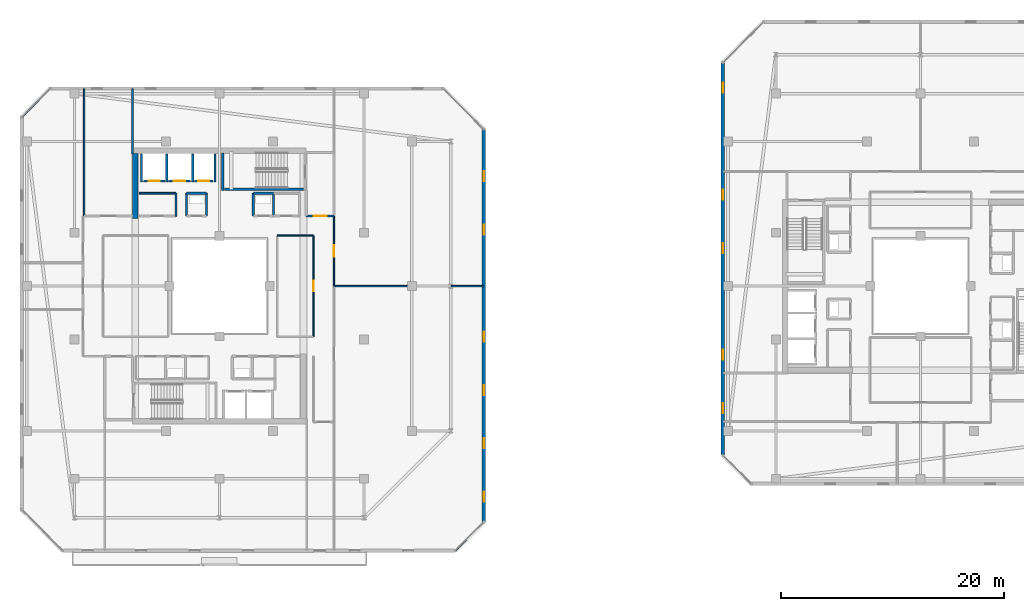
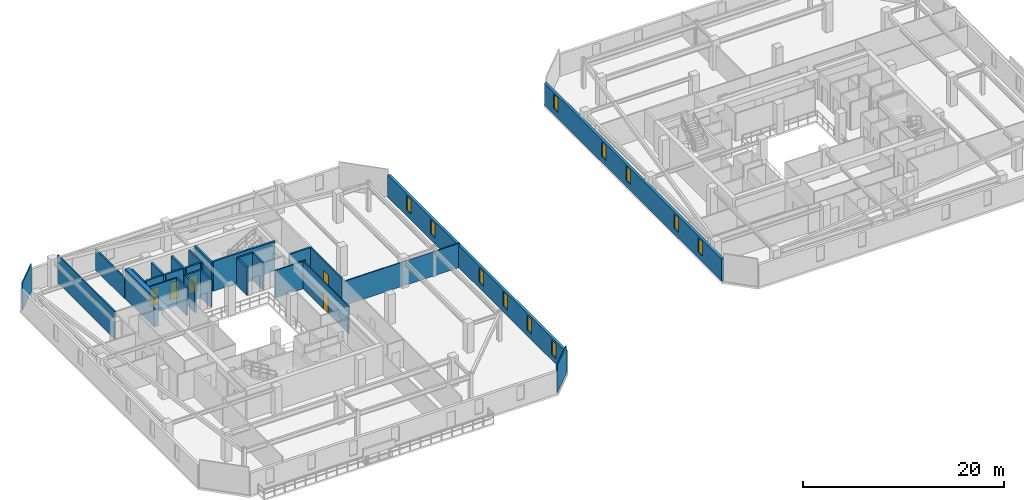
# One storey, part 23 of 34: 29 walls, 11 windows, 6 doors, 17 openings.
"""IFC4 building model written with IfcOpenShell, lengths in metres."""

from ifc_helpers import new_model, si_unit, direction, frame, frame_2d, origin, place, context, subcontext, project, spatial, rectangle, extrude, material, layer, layer_set, type_object, element, fill, save


model = new_model("IFC4")

# Units and contexts
model_context = context("Model", 3, precision=1e-05, world=origin(), true_north=direction((0.0, 1.0)))
body_context = subcontext(model_context, "Body", "Model", "MODEL_VIEW")
ifc_project = project(units=[si_unit("LENGTHUNIT", "METRE"), si_unit("AREAUNIT", "SQUARE_METRE"), si_unit("VOLUMEUNIT", "CUBIC_METRE"), si_unit("PLANEANGLEUNIT", "RADIAN"), si_unit("MASSUNIT", "GRAM", prefix="KILO")], contexts=[model_context])

# Site, building, storey
site_placement = place(None, origin())
site = spatial("IfcSite", under=ifc_project, at=site_placement, CompositionType="ELEMENT")
building_placement = place(site_placement, origin())
building = spatial("IfcBuilding", under=site, at=building_placement, Name="Thornwick Lancets Civic Towers", CompositionType="ELEMENT")
storey_placement = place(building_placement, frame((0.0, 0.0, 261.89990234375)))
storey = spatial("IfcBuildingStorey", under=building, at=storey_placement, Name="L70", CompositionType="ELEMENT", Elevation=261.89990234375)

# Wall, opening, door
ifc_material_1 = material(Name="Concrete blockwork C40/50", Category="masonry")
ifc_layer_1 = layer(ifc_material_1, 0.199951171875, Name="Concrete blockwork C40/50")
ifc_layer_set_1 = layer_set([ifc_layer_1], Name="Concrete blockwork C40/50")
wall_type_1 = type_object("IfcWallType", Name="WALL_COMP_200", PredefinedType="STANDARD", material=ifc_layer_set_1)
wall_1_placement = place(storey_placement, frame((24.919921875, 36.449951171875, 0.0), z_axis=(0.0, 0.0, 1.0), x_axis=(-1.0, 0.0, 0.0)))
wall_1 = element("IfcWall", 1, at=wall_1_placement, inside=storey, type_object=wall_type_1, Name="L70 Hoistway Front Wall FL-A2", PredefinedType="STANDARD", context=body_context, shape_type="SweptSolid", body=[
    extrude(rectangle(XDim=1.639892578125, YDim=0.199951171875, at=frame_2d((0.81982421875, 0.0))), origin(), (0.0, 0.0, 1.0), 3.340087890625),
])
opening_1_placement = place(wall_1_placement, frame((0.31005859375, 0.0, 0.0)))
opening_1 = element("IfcOpeningElement", 2, at=opening_1_placement, cuts=wall_1, Name="Opening LD-FL-A2", PredefinedType="OPENING", context=body_context, shape_type="SweptSolid", body=[
    extrude(rectangle(XDim=1.02001953125, YDim=2.06005859375, at=frame_2d((0.510009765625, 1.030029296875))), frame((0.0, 0.10986328125, 0.0), z_axis=(0.0, -1.0, 0.0), x_axis=(1.0, 0.0, 0.0)), (0.0, 0.0, 1.0), 0.219970703125),
])
ifc_material_2 = material(Name="Brushed bronze stainless steel", Category="steel")
door_type_1 = type_object("IfcDoorType", Name="DOOR_LIFT_SLIDE", OperationType="SLIDING_TO_LEFT", PredefinedType="DOOR", material=ifc_material_2)
door_1_placement = place(opening_1_placement, origin())
door_1 = element("IfcDoor", 3, at=door_1_placement, inside=storey, type_object=door_type_1, Name="L70 Sliding Lift Landing Door LD-FL-A2", OperationType="SLIDING_TO_LEFT", OverallHeight=2.06005859375, OverallWidth=1.02001953125, PredefinedType="DOOR", context=body_context, shape_type="SweptSolid", body=[
    extrude(rectangle(XDim=1.02001953125, YDim=2.06005859375, at=frame_2d((0.510009765625, 1.030029296875))), frame((0.0, 0.02490234375, 0.0), z_axis=(0.0, -1.0, 0.0), x_axis=(1.0, 0.0, 0.0)), (0.0, 0.0, 1.0), 0.050048828125),
])
fill(opening_1, door_1)

wall_2_placement = place(storey_placement, frame((22.919921875, 36.449951171875, 0.0), z_axis=(0.0, 0.0, 1.0), x_axis=(-1.0, 0.0, 0.0)))
wall_2 = element("IfcWall", 4, at=wall_2_placement, inside=storey, type_object=wall_type_1, Name="L70 Hoistway Front Wall PL-AH2", PredefinedType="STANDARD", context=body_context, shape_type="SweptSolid", body=[
    extrude(rectangle(XDim=1.989990234375, YDim=0.199951171875, at=frame_2d((0.9951171875, 0.0))), origin(), (0.0, 0.0, 1.0), 3.340087890625),
])
opening_2_placement = place(wall_2_placement, frame((0.485107421875, 0.0, 0.0)))
opening_2 = element("IfcOpeningElement", 5, at=opening_2_placement, cuts=wall_2, Name="Opening LD-PL-AH2", PredefinedType="OPENING", context=body_context, shape_type="SweptSolid", body=[
    extrude(rectangle(XDim=1.02001953125, YDim=2.06005859375, at=frame_2d((0.510009765625, 1.030029296875))), frame((0.0, 0.10986328125, 0.0), z_axis=(0.0, -1.0, 0.0), x_axis=(1.0, 0.0, 0.0)), (0.0, 0.0, 1.0), 0.219970703125),
])
door_2_placement = place(opening_2_placement, origin())
door_2 = element("IfcDoor", 6, at=door_2_placement, inside=storey, type_object=door_type_1, Name="L70 Sliding Lift Landing Door LD-PL-AH2", OperationType="SLIDING_TO_LEFT", OverallHeight=2.06005859375, OverallWidth=1.02001953125, PredefinedType="DOOR", context=body_context, shape_type="SweptSolid", body=[
    extrude(rectangle(XDim=1.02001953125, YDim=2.06005859375, at=frame_2d((0.510009765625, 1.030029296875))), frame((0.0, 0.02490234375, 0.0), z_axis=(0.0, -1.0, 0.0), x_axis=(1.0, 0.0, 0.0)), (0.0, 0.0, 1.0), 0.050048828125),
])
fill(opening_2, door_2)

wall_3_placement = place(storey_placement, frame((20.6201171875, 36.449951171875, 0.0), z_axis=(0.0, 0.0, 1.0), x_axis=(-1.0, 0.0, 0.0)))
wall_3 = element("IfcWall", 7, at=wall_3_placement, inside=storey, type_object=wall_type_1, Name="L70 Hoistway Front Wall PL-AH3", PredefinedType="STANDARD", context=body_context, shape_type="SweptSolid", body=[
    extrude(rectangle(XDim=1.940185546875, YDim=0.199951171875, at=frame_2d((0.97021484375, 0.0))), origin(), (0.0, 0.0, 1.0), 3.340087890625),
])
opening_3_placement = place(wall_3_placement, frame((0.4599609375, 0.0, 0.0)))
opening_3 = element("IfcOpeningElement", 8, at=opening_3_placement, cuts=wall_3, Name="Opening LD-PL-AH3", PredefinedType="OPENING", context=body_context, shape_type="SweptSolid", body=[
    extrude(rectangle(XDim=1.02001953125, YDim=2.06005859375, at=frame_2d((0.510009765625, 1.030029296875))), frame((0.0, 0.10986328125, 0.0), z_axis=(0.0, -1.0, 0.0), x_axis=(1.0, 0.0, 0.0)), (0.0, 0.0, 1.0), 0.219970703125),
])
door_3_placement = place(opening_3_placement, origin())
door_3 = element("IfcDoor", 9, at=door_3_placement, inside=storey, type_object=door_type_1, Name="L70 Sliding Lift Landing Door LD-PL-AH3", OperationType="SLIDING_TO_LEFT", OverallHeight=2.06005859375, OverallWidth=1.02001953125, PredefinedType="DOOR", context=body_context, shape_type="SweptSolid", body=[
    extrude(rectangle(XDim=1.02001953125, YDim=2.06005859375, at=frame_2d((0.510009765625, 1.030029296875))), frame((0.0, 0.02490234375, 0.0), z_axis=(0.0, -1.0, 0.0), x_axis=(1.0, 0.0, 0.0)), (0.0, 0.0, 1.0), 0.050048828125),
])
fill(opening_3, door_3)

# Walls
for number, where, z_axis, x_axis, name in (
    (10, (25.10009765625, 36.35205078125, 0.0), (0.0, 0.0, 1.0), (0.0, 1.0, 0.0), "L70 Hoistway Shaft Wall FL-A2 E"),
    (11, (23.10009765625, 36.35205078125, 0.0), (0.0, 0.0, 1.0), (0.0, 1.0, 0.0), "L70 Hoistway Shaft Wall FL-A2 W"),
    (12, (20.77490234375, 36.35205078125, 0.0), (0.0, 0.0, 1.0), (0.0, 1.0, 0.0), "L70 Hoistway Shaft Wall PL-AH2 W"),
    (13, (18.5, 36.35205078125, 0.0), (0.0, 0.0, 1.0), (0.0, 1.0, 0.0), "L70 Hoistway Shaft Wall PL-AH3 W"),
):
    element("IfcWall", number, at=place(storey_placement, frame(where, z_axis=z_axis, x_axis=x_axis)), inside=storey, type_object=wall_type_1, Name=name, PredefinedType="STANDARD", context=body_context, shape_type="SweptSolid", body=[
        extrude(rectangle(XDim=2.535888671875, YDim=0.199951171875, at=frame_2d((1.26806640625, 0.0))), origin(), (0.0, 0.0, 1.0), 3.340087890625),
    ])

# Wall, opening, door
wall_4_placement = place(storey_placement, frame((33.300048828125, 33.300048828125, 0.0), z_axis=(0.0, 0.0, 1.0), x_axis=(1.0, 0.0, 0.0)))
wall_4 = element("IfcWall", 14, at=wall_4_placement, inside=storey, type_object=wall_type_1, Name="L70 Partition L70-A-FFLOB2 E1", PredefinedType="STANDARD", context=body_context, shape_type="SweptSolid", body=[
    extrude(rectangle(XDim=2.5, YDim=0.199951171875, at=frame_2d((1.25, 0.0))), origin(), (0.0, 0.0, 1.0), 3.340087890625),
])
opening_4_placement = place(wall_4_placement, frame((0.675048828125, 0.0, 0.0)))
opening_4 = element("IfcOpeningElement", 15, at=opening_4_placement, cuts=wall_4, Name="Opening D-L70-3180", PredefinedType="OPENING", context=body_context, shape_type="SweptSolid", body=[
    extrude(rectangle(XDim=1.14990234375, YDim=2.10009765625, at=frame_2d((0.574951171875, 1.050048828125))), frame((0.0, 0.10986328125, 0.0), z_axis=(0.0, -1.0, 0.0), x_axis=(1.0, 0.0, 0.0)), (0.0, 0.0, 1.0), 0.219970703125),
])
ifc_material_3 = material(Name="Glazed fire-resisting steel", Category="steel")
door_type_2 = type_object("IfcDoorType", Name="DOOR_LOBBY_FD60", OperationType="NOTDEFINED", PredefinedType="DOOR", material=ifc_material_3)
door_4_placement = place(opening_4_placement, origin())
door_4 = element("IfcDoor", 16, at=door_4_placement, inside=storey, type_object=door_type_2, Name="L70 North Firefighting Lobby 2 Door", OperationType="SINGLE_SWING_LEFT", OverallHeight=2.10009765625, OverallWidth=1.14990234375, PredefinedType="DOOR", context=body_context, shape_type="SweptSolid", body=[
    extrude(rectangle(XDim=1.14990234375, YDim=2.10009765625, at=frame_2d((0.574951171875, 1.050048828125))), frame((0.0, 0.02490234375, 0.0), z_axis=(0.0, -1.0, 0.0), x_axis=(1.0, 0.0, 0.0)), (0.0, 0.0, 1.0), 0.050048828125),
])
fill(opening_4, door_4)

# Walls
wall_5_placement = place(storey_placement, frame((24.35009765625, 33.300048828125, 0.0), z_axis=(0.0, 0.0, 1.0), x_axis=(0.0, 1.0, 0.0)))
element("IfcWall", 17, at=wall_5_placement, inside=storey, type_object=wall_type_1, Name="L70 Partition L70-A-DUCT2 E2", PredefinedType="STANDARD", context=body_context, shape_type="SweptSolid", body=[
    extrude(rectangle(XDim=2.050048828125, YDim=0.199951171875, at=frame_2d((1.02490234375, 0.0))), origin(), (0.0, 0.0, 1.0), 3.340087890625),
])
wall_6_placement = place(storey_placement, frame((24.35009765625, 35.35009765625, 0.0), z_axis=(0.0, 0.0, 1.0), x_axis=(-1.0, 0.0, 0.0)))
element("IfcWall", 18, at=wall_6_placement, inside=storey, type_object=wall_type_1, Name="L70 Partition L70-A-DUCT2 E3", PredefinedType="STANDARD", context=body_context, shape_type="SweptSolid", body=[
    extrude(rectangle(XDim=1.800048828125, YDim=0.199951171875, at=frame_2d((0.89990234375, 0.0))), origin(), (0.0, 0.0, 1.0), 3.340087890625),
])
for number, where, z_axis, x_axis, name in (
    (19, (22.550048828125, 35.35009765625, 0.0), (0.0, 0.0, 1.0), (0.0, -1.0, 0.0), "L70 Partition L70-A-DUCT2 E4"),
    (20, (30.35009765625, 33.300048828125, 0.0), (0.0, 0.0, 1.0), (0.0, 1.0, 0.0), "L70 Partition L70-A-RISER2 E2"),
):
    element("IfcWall", number, at=place(storey_placement, frame(where, z_axis=z_axis, x_axis=x_axis)), inside=storey, type_object=wall_type_1, Name=name, PredefinedType="STANDARD", context=body_context, shape_type="SweptSolid", body=[
        extrude(rectangle(XDim=2.050048828125, YDim=0.199951171875, at=frame_2d((1.02490234375, 0.0))), origin(), (0.0, 0.0, 1.0), 3.340087890625),
    ])
wall_7_placement = place(storey_placement, frame((30.35009765625, 35.35009765625, 0.0), z_axis=(0.0, 0.0, 1.0), x_axis=(-1.0, 0.0, 0.0)))
element("IfcWall", 21, at=wall_7_placement, inside=storey, type_object=wall_type_1, Name="L70 Partition L70-A-RISER2 E3", PredefinedType="STANDARD", context=body_context, shape_type="SweptSolid", body=[
    extrude(rectangle(XDim=1.800048828125, YDim=0.199951171875, at=frame_2d((0.89990234375, 0.0))), origin(), (0.0, 0.0, 1.0), 3.340087890625),
])
wall_8_placement = place(storey_placement, frame((28.550048828125, 35.35009765625, 0.0), z_axis=(0.0, 0.0, 1.0), x_axis=(0.0, -1.0, 0.0)))
element("IfcWall", 22, at=wall_8_placement, inside=storey, type_object=wall_type_1, Name="L70 Partition L70-A-RISER2 E4", PredefinedType="STANDARD", context=body_context, shape_type="SweptSolid", body=[
    extrude(rectangle(XDim=2.050048828125, YDim=0.199951171875, at=frame_2d((1.02490234375, 0.0))), origin(), (0.0, 0.0, 1.0), 3.340087890625),
])
ifc_material_4 = material(Name="Concrete C50/60", Category="concrete")
ifc_layer_2 = layer(ifc_material_4, 0.5, Name="Concrete C50/60")
ifc_layer_set_2 = layer_set([ifc_layer_2], Name="Concrete C50/60")
wall_type_2 = type_object("IfcWallType", Name="WALL_CORE_500", PredefinedType="SHEAR", material=ifc_layer_set_2)
wall_9_placement = place(storey_placement, frame((17.949951171875, 33.10009765625, 0.0), z_axis=(0.0, 0.0, 1.0), x_axis=(0.0, 1.0, 0.0)))
element("IfcWall", 23, at=wall_9_placement, inside=storey, type_object=wall_type_2, Name="L70 Split Core A2 Shear Wall W", PredefinedType="SHEAR", context=body_context, shape_type="SweptSolid", body=[
    extrude(rectangle(XDim=5.7998046875, YDim=0.5, at=frame_2d((2.89990234375, 0.0))), origin(), (0.0, 0.0, 1.0), 3.60009765625),
])

# Wall, openings, windows
ifc_material_5 = material(Name="Insulated russet terracotta rainscreen on concrete C40/50", Category="masonry")
ifc_layer_3 = layer(ifc_material_5, 0.300048828125, Name="Insulated russet terracotta rainscreen on concrete C40/50")
ifc_layer_set_3 = layer_set([ifc_layer_3], Name="Insulated russet terracotta rainscreen on concrete C40/50")
wall_type_3 = type_object("IfcWallType", Name="WALL_EXT_RUSSET_300", PredefinedType="STANDARD", material=ifc_layer_set_3)
wall_10_placement = place(storey_placement, frame((49.2646484375, 5.818603515625, 0.0), z_axis=(0.0, 0.0, 1.0), x_axis=(-0.000103863011, 0.999999994606, 0.0)))
wall_10 = element("IfcWall", 24, at=wall_10_placement, inside=storey, type_object=wall_type_3, Name="L70 Tower A Terracotta Facade Wall E2", PredefinedType="STANDARD", context=body_context, shape_type="SweptSolid", body=[
    extrude(rectangle(XDim=35.259033203125, YDim=0.300048828125, at=frame_2d((17.62939453125, 0.0))), origin(), (0.0, 0.0, 1.0), 2.7001953125),
])
opening_5_placement = place(wall_10_placement, frame((1.800048828125, 0.0, 0.719970703125)))
opening_5 = element("IfcOpeningElement", 25, at=opening_5_placement, cuts=wall_10, Name="Opening WL-01", PredefinedType="OPENING", context=body_context, shape_type="SweptSolid", body=[
    extrude(rectangle(XDim=0.89990234375, YDim=1.75, at=frame_2d((0.449951171875, 0.875))), frame((0.0, 0.16015625, 0.0), z_axis=(0.0, -1.0, 0.0), x_axis=(1.0, 0.0, 0.0)), (0.0, 0.0, 1.0), 0.320068359375),
])
opening_6_placement = place(wall_10_placement, frame((6.60009765625, 0.0, 0.719970703125)))
opening_6 = element("IfcOpeningElement", 26, at=opening_6_placement, cuts=wall_10, Name="Opening WL-01", PredefinedType="OPENING", context=body_context, shape_type="SweptSolid", body=[
    extrude(rectangle(XDim=0.89990234375, YDim=1.75, at=frame_2d((0.449951171875, 0.875))), frame((0.0, 0.16015625, 0.0), z_axis=(0.0, -1.0, 0.0), x_axis=(1.0, 0.0, 0.0)), (0.0, 0.0, 1.0), 0.320068359375),
])
opening_7_placement = place(wall_10_placement, frame((11.39990234375, 0.0, 0.719970703125)))
opening_7 = element("IfcOpeningElement", 27, at=opening_7_placement, cuts=wall_10, Name="Opening WL-01", PredefinedType="OPENING", context=body_context, shape_type="SweptSolid", body=[
    extrude(rectangle(XDim=0.89990234375, YDim=1.75, at=frame_2d((0.449951171875, 0.875))), frame((0.0, 0.16015625, 0.0), z_axis=(0.0, -1.0, 0.0), x_axis=(1.0, 0.0, 0.0)), (0.0, 0.0, 1.0), 0.320068359375),
])
opening_8_placement = place(wall_10_placement, frame((16.199951171875, 0.0, 0.719970703125)))
opening_8 = element("IfcOpeningElement", 28, at=opening_8_placement, cuts=wall_10, Name="Opening WL-01", PredefinedType="OPENING", context=body_context, shape_type="SweptSolid", body=[
    extrude(rectangle(XDim=0.89990234375, YDim=1.75, at=frame_2d((0.449951171875, 0.875))), frame((0.0, 0.16015625, 0.0), z_axis=(0.0, -1.0, 0.0), x_axis=(1.0, 0.0, 0.0)), (0.0, 0.0, 1.0), 0.320068359375),
])
opening_9_placement = place(wall_10_placement, frame((25.800048828125, 0.0, 0.719970703125)))
opening_9 = element("IfcOpeningElement", 29, at=opening_9_placement, cuts=wall_10, Name="Opening WL-01", PredefinedType="OPENING", context=body_context, shape_type="SweptSolid", body=[
    extrude(rectangle(XDim=0.89990234375, YDim=1.75, at=frame_2d((0.449951171875, 0.875))), frame((0.0, 0.16015625, 0.0), z_axis=(0.0, -1.0, 0.0), x_axis=(1.0, 0.0, 0.0)), (0.0, 0.0, 1.0), 0.320068359375),
])
opening_10_placement = place(wall_10_placement, frame((30.60009765625, 0.0, 0.719970703125)))
opening_10 = element("IfcOpeningElement", 30, at=opening_10_placement, cuts=wall_10, Name="Opening WL-01", PredefinedType="OPENING", context=body_context, shape_type="SweptSolid", body=[
    extrude(rectangle(XDim=0.89990234375, YDim=1.75, at=frame_2d((0.449951171875, 0.875))), frame((0.0, 0.16015625, 0.0), z_axis=(0.0, -1.0, 0.0), x_axis=(1.0, 0.0, 0.0)), (0.0, 0.0, 1.0), 0.320068359375),
])
ifc_material_6 = material(Name="Clear low-e double glazing in bronze frame", Category="glass")
window_type = type_object("IfcWindowType", Name="WIN_LANCET_900", PartitioningType="SINGLE_PANEL", PredefinedType="WINDOW", material=ifc_material_6)
window_1_placement = place(opening_5_placement, origin())
window_1 = element("IfcWindow", 31, at=window_1_placement, inside=storey, type_object=window_type, Name="L70 Tower A Staggered Lancet Window E2-1", OverallHeight=1.75, OverallWidth=0.89990234375, PartitioningType="SINGLE_PANEL", PredefinedType="WINDOW", context=body_context, shape_type="SweptSolid", body=[
    extrude(rectangle(XDim=0.89990234375, YDim=1.75, at=frame_2d((0.449951171875, 0.875))), frame((0.0, 0.030029296875, 0.0), z_axis=(0.0, -1.0, 0.0), x_axis=(1.0, 0.0, 0.0)), (0.0, 0.0, 1.0), 0.06005859375),
])
fill(opening_5, window_1)
window_2_placement = place(opening_6_placement, origin())
window_2 = element("IfcWindow", 32, at=window_2_placement, inside=storey, type_object=window_type, Name="L70 Tower A Staggered Lancet Window E2-2", OverallHeight=1.75, OverallWidth=0.89990234375, PartitioningType="SINGLE_PANEL", PredefinedType="WINDOW", context=body_context, shape_type="SweptSolid", body=[
    extrude(rectangle(XDim=0.89990234375, YDim=1.75, at=frame_2d((0.449951171875, 0.875))), frame((0.0, 0.030029296875, 0.0), z_axis=(0.0, -1.0, 0.0), x_axis=(1.0, 0.0, 0.0)), (0.0, 0.0, 1.0), 0.06005859375),
])
fill(opening_6, window_2)
window_3_placement = place(opening_7_placement, origin())
window_3 = element("IfcWindow", 33, at=window_3_placement, inside=storey, type_object=window_type, Name="L70 Tower A Staggered Lancet Window E2-3", OverallHeight=1.75, OverallWidth=0.89990234375, PartitioningType="SINGLE_PANEL", PredefinedType="WINDOW", context=body_context, shape_type="SweptSolid", body=[
    extrude(rectangle(XDim=0.89990234375, YDim=1.75, at=frame_2d((0.449951171875, 0.875))), frame((0.0, 0.030029296875, 0.0), z_axis=(0.0, -1.0, 0.0), x_axis=(1.0, 0.0, 0.0)), (0.0, 0.0, 1.0), 0.06005859375),
])
fill(opening_7, window_3)
window_4_placement = place(opening_8_placement, origin())
window_4 = element("IfcWindow", 34, at=window_4_placement, inside=storey, type_object=window_type, Name="L70 Tower A Staggered Lancet Window E2-4", OverallHeight=1.75, OverallWidth=0.89990234375, PartitioningType="SINGLE_PANEL", PredefinedType="WINDOW", context=body_context, shape_type="SweptSolid", body=[
    extrude(rectangle(XDim=0.89990234375, YDim=1.75, at=frame_2d((0.449951171875, 0.875))), frame((0.0, 0.030029296875, 0.0), z_axis=(0.0, -1.0, 0.0), x_axis=(1.0, 0.0, 0.0)), (0.0, 0.0, 1.0), 0.06005859375),
])
fill(opening_8, window_4)
window_5_placement = place(opening_9_placement, origin())
window_5 = element("IfcWindow", 35, at=window_5_placement, inside=storey, type_object=window_type, Name="L70 Tower A Staggered Lancet Window E2-5", OverallHeight=1.75, OverallWidth=0.89990234375, PartitioningType="SINGLE_PANEL", PredefinedType="WINDOW", context=body_context, shape_type="SweptSolid", body=[
    extrude(rectangle(XDim=0.89990234375, YDim=1.75, at=frame_2d((0.449951171875, 0.875))), frame((0.0, 0.030029296875, 0.0), z_axis=(0.0, -1.0, 0.0), x_axis=(1.0, 0.0, 0.0)), (0.0, 0.0, 1.0), 0.06005859375),
])
fill(opening_9, window_5)
window_6_placement = place(opening_10_placement, origin())
window_6 = element("IfcWindow", 36, at=window_6_placement, inside=storey, type_object=window_type, Name="L70 Tower A Staggered Lancet Window E2-6", OverallHeight=1.75, OverallWidth=0.89990234375, PartitioningType="SINGLE_PANEL", PredefinedType="WINDOW", context=body_context, shape_type="SweptSolid", body=[
    extrude(rectangle(XDim=0.89990234375, YDim=1.75, at=frame_2d((0.449951171875, 0.875))), frame((0.0, 0.030029296875, 0.0), z_axis=(0.0, -1.0, 0.0), x_axis=(1.0, 0.0, 0.0)), (0.0, 0.0, 1.0), 0.06005859375),
])
fill(opening_10, window_6)

wall_11_placement = place(storey_placement, frame((70.739013671875, 47.07763671875, 0.0), z_axis=(0.0, 0.0, 1.0), x_axis=(-0.000103863011, -0.999999994606, 0.0)))
wall_11 = element("IfcWall", 37, at=wall_11_placement, inside=storey, type_object=wall_type_3, Name="L70 Tower B Terracotta Facade Wall E6", PredefinedType="STANDARD", context=body_context, shape_type="SweptSolid", body=[
    extrude(rectangle(XDim=35.259033203125, YDim=0.300048828125, at=frame_2d((17.62939453125, 0.0))), origin(), (0.0, 0.0, 1.0), 2.7001953125),
])
opening_11_placement = place(wall_11_placement, frame((1.800048828125, 0.0, 0.719970703125)))
opening_11 = element("IfcOpeningElement", 38, at=opening_11_placement, cuts=wall_11, Name="Opening WL-01", PredefinedType="OPENING", context=body_context, shape_type="SweptSolid", body=[
    extrude(rectangle(XDim=0.89990234375, YDim=1.75, at=frame_2d((0.449951171875, 0.875))), frame((0.0, 0.16015625, 0.0), z_axis=(0.0, -1.0, 0.0), x_axis=(1.0, 0.0, 0.0)), (0.0, 0.0, 1.0), 0.320068359375),
])
opening_12_placement = place(wall_11_placement, frame((11.39990234375, 0.0, 0.719970703125)))
opening_12 = element("IfcOpeningElement", 39, at=opening_12_placement, cuts=wall_11, Name="Opening WL-01", PredefinedType="OPENING", context=body_context, shape_type="SweptSolid", body=[
    extrude(rectangle(XDim=0.89990234375, YDim=1.75, at=frame_2d((0.449951171875, 0.875))), frame((0.0, 0.16015625, 0.0), z_axis=(0.0, -1.0, 0.0), x_axis=(1.0, 0.0, 0.0)), (0.0, 0.0, 1.0), 0.320068359375),
])
opening_13_placement = place(wall_11_placement, frame((16.199951171875, 0.0, 0.719970703125)))
opening_13 = element("IfcOpeningElement", 40, at=opening_13_placement, cuts=wall_11, Name="Opening WL-01", PredefinedType="OPENING", context=body_context, shape_type="SweptSolid", body=[
    extrude(rectangle(XDim=0.89990234375, YDim=1.75, at=frame_2d((0.449951171875, 0.875))), frame((0.0, 0.16015625, 0.0), z_axis=(0.0, -1.0, 0.0), x_axis=(1.0, 0.0, 0.0)), (0.0, 0.0, 1.0), 0.320068359375),
])
opening_14_placement = place(wall_11_placement, frame((25.800048828125, 0.0, 0.719970703125)))
opening_14 = element("IfcOpeningElement", 41, at=opening_14_placement, cuts=wall_11, Name="Opening WL-01", PredefinedType="OPENING", context=body_context, shape_type="SweptSolid", body=[
    extrude(rectangle(XDim=0.89990234375, YDim=1.75, at=frame_2d((0.449951171875, 0.875))), frame((0.0, 0.16015625, 0.0), z_axis=(0.0, -1.0, 0.0), x_axis=(1.0, 0.0, 0.0)), (0.0, 0.0, 1.0), 0.320068359375),
])
opening_15_placement = place(wall_11_placement, frame((30.60009765625, 0.0, 0.719970703125)))
opening_15 = element("IfcOpeningElement", 42, at=opening_15_placement, cuts=wall_11, Name="Opening WL-01", PredefinedType="OPENING", context=body_context, shape_type="SweptSolid", body=[
    extrude(rectangle(XDim=0.89990234375, YDim=1.75, at=frame_2d((0.449951171875, 0.875))), frame((0.0, 0.16015625, 0.0), z_axis=(0.0, -1.0, 0.0), x_axis=(1.0, 0.0, 0.0)), (0.0, 0.0, 1.0), 0.320068359375),
])
window_7_placement = place(opening_11_placement, origin())
window_7 = element("IfcWindow", 43, at=window_7_placement, inside=storey, type_object=window_type, Name="L70 Tower B Staggered Lancet Window E6-1", OverallHeight=1.75, OverallWidth=0.89990234375, PartitioningType="SINGLE_PANEL", PredefinedType="WINDOW", context=body_context, shape_type="SweptSolid", body=[
    extrude(rectangle(XDim=0.89990234375, YDim=1.75, at=frame_2d((0.449951171875, 0.875))), frame((0.0, 0.030029296875, 0.0), z_axis=(0.0, -1.0, 0.0), x_axis=(1.0, 0.0, 0.0)), (0.0, 0.0, 1.0), 0.06005859375),
])
fill(opening_11, window_7)
window_8_placement = place(opening_12_placement, origin())
window_8 = element("IfcWindow", 44, at=window_8_placement, inside=storey, type_object=window_type, Name="L70 Tower B Staggered Lancet Window E6-2", OverallHeight=1.75, OverallWidth=0.89990234375, PartitioningType="SINGLE_PANEL", PredefinedType="WINDOW", context=body_context, shape_type="SweptSolid", body=[
    extrude(rectangle(XDim=0.89990234375, YDim=1.75, at=frame_2d((0.449951171875, 0.875))), frame((0.0, 0.030029296875, 0.0), z_axis=(0.0, -1.0, 0.0), x_axis=(1.0, 0.0, 0.0)), (0.0, 0.0, 1.0), 0.06005859375),
])
fill(opening_12, window_8)
window_9_placement = place(opening_13_placement, origin())
window_9 = element("IfcWindow", 45, at=window_9_placement, inside=storey, type_object=window_type, Name="L70 Tower B Staggered Lancet Window E6-3", OverallHeight=1.75, OverallWidth=0.89990234375, PartitioningType="SINGLE_PANEL", PredefinedType="WINDOW", context=body_context, shape_type="SweptSolid", body=[
    extrude(rectangle(XDim=0.89990234375, YDim=1.75, at=frame_2d((0.449951171875, 0.875))), frame((0.0, 0.030029296875, 0.0), z_axis=(0.0, -1.0, 0.0), x_axis=(1.0, 0.0, 0.0)), (0.0, 0.0, 1.0), 0.06005859375),
])
fill(opening_13, window_9)
window_10_placement = place(opening_14_placement, origin())
window_10 = element("IfcWindow", 46, at=window_10_placement, inside=storey, type_object=window_type, Name="L70 Tower B Staggered Lancet Window E6-4", OverallHeight=1.75, OverallWidth=0.89990234375, PartitioningType="SINGLE_PANEL", PredefinedType="WINDOW", context=body_context, shape_type="SweptSolid", body=[
    extrude(rectangle(XDim=0.89990234375, YDim=1.75, at=frame_2d((0.449951171875, 0.875))), frame((0.0, 0.030029296875, 0.0), z_axis=(0.0, -1.0, 0.0), x_axis=(1.0, 0.0, 0.0)), (0.0, 0.0, 1.0), 0.06005859375),
])
fill(opening_14, window_10)
window_11_placement = place(opening_15_placement, origin())
window_11 = element("IfcWindow", 47, at=window_11_placement, inside=storey, type_object=window_type, Name="L70 Tower B Staggered Lancet Window E6-5", OverallHeight=1.75, OverallWidth=0.89990234375, PartitioningType="SINGLE_PANEL", PredefinedType="WINDOW", context=body_context, shape_type="SweptSolid", body=[
    extrude(rectangle(XDim=0.89990234375, YDim=1.75, at=frame_2d((0.449951171875, 0.875))), frame((0.0, 0.030029296875, 0.0), z_axis=(0.0, -1.0, 0.0), x_axis=(1.0, 0.0, 0.0)), (0.0, 0.0, 1.0), 0.06005859375),
])
fill(opening_15, window_11)

# Walls
ifc_material_7 = material(Name="Acoustic gypsum board partition")
ifc_layer_4 = layer(ifc_material_7, 0.1201171875, Name="Acoustic gypsum board partition")
ifc_layer_set_4 = layer_set([ifc_layer_4], Name="Acoustic gypsum board partition")
wall_type_4 = type_object("IfcWallType", Name="WALL_PART_120", PredefinedType="PARTITIONING", material=ifc_layer_set_4)
wall_12_placement = place(storey_placement, frame((7.780029296875, 42.225341796875, 0.0), z_axis=(0.0, 0.0, 1.0), x_axis=(0.707106781187, 0.707106781187, 0.0)))
element("IfcWall", 48, at=wall_12_placement, inside=storey, type_object=wall_type_4, Name="L70 Partition L70-A-W2B E2", PredefinedType="PARTITIONING", context=body_context, shape_type="SweptSolid", body=[
    extrude(rectangle(XDim=3.52783203125, YDim=0.1201171875, at=frame_2d((1.763916015625, 0.0))), origin(), (0.0, 0.0, 1.0), 3.340087890625),
])
wall_13_placement = place(storey_placement, frame((35.800048828125, 27.0, 0.0), z_axis=(0.0, 0.0, 1.0), x_axis=(1.0, 0.0, 0.0)))
element("IfcWall", 49, at=wall_13_placement, inside=storey, type_object=wall_type_4, Name="L70 Partition L70-A-E1 E4", PredefinedType="PARTITIONING", context=body_context, shape_type="SweptSolid", body=[
    extrude(rectangle(XDim=13.419921875, YDim=0.1201171875, at=frame_2d((6.7099609375, 0.0))), origin(), (0.0, 0.0, 1.0), 2.932373046875),
])
wall_14_placement = place(storey_placement, frame((49.219970703125, 5.774658203125, 0.0), z_axis=(0.0, 0.0, 1.0), x_axis=(-0.707106781187, -0.707106781187, 0.0)))
element("IfcWall", 50, at=wall_14_placement, inside=storey, type_object=wall_type_4, Name="L70 Partition L70-A-E1 E6", PredefinedType="PARTITIONING", context=body_context, shape_type="SweptSolid", body=[
    extrude(rectangle(XDim=3.52783203125, YDim=0.1201171875, at=frame_2d((1.763916015625, 0.0))), origin(), (0.0, 0.0, 1.0), 3.340087890625),
])

# Wall, opening, door
wall_15_placement = place(storey_placement, frame((35.800048828125, 27.0, 0.0), z_axis=(0.0, 0.0, 1.0), x_axis=(0.0, 1.0, 0.0)))
wall_15 = element("IfcWall", 51, at=wall_15_placement, inside=storey, type_object=wall_type_4, Name="L70 Partition L70-A-E2 E7", PredefinedType="PARTITIONING", context=body_context, shape_type="SweptSolid", body=[
    extrude(rectangle(XDim=6.300048828125, YDim=0.1201171875, at=frame_2d((3.14990234375, 0.0))), origin(), (0.0, 0.0, 1.0), 3.340087890625),
])
opening_16_placement = place(wall_15_placement, frame((2.625, 0.0, 0.0)))
opening_16 = element("IfcOpeningElement", 52, at=opening_16_placement, cuts=wall_15, Name="Opening D-L70-3210", PredefinedType="OPENING", context=body_context, shape_type="SweptSolid", body=[
    extrude(rectangle(XDim=1.050048828125, YDim=2.10009765625, at=frame_2d((0.52490234375, 1.050048828125))), frame((0.0, 0.070068359375, 0.0), z_axis=(0.0, -1.0, 0.0), x_axis=(1.0, 0.0, 0.0)), (0.0, 0.0, 1.0), 0.14013671875),
])
ifc_material_8 = material(Name="Glazed European oak executive doorset")
door_type_3 = type_object("IfcDoorType", Name="DOOR_OFFICE_1050", OperationType="NOTDEFINED", PredefinedType="DOOR", material=ifc_material_8)
door_5_placement = place(opening_16_placement, origin())
door_5 = element("IfcDoor", 53, at=door_5_placement, inside=storey, type_object=door_type_3, Name="L70 Tower A Visitors Reception and Waiting Door", OperationType="SINGLE_SWING_LEFT", OverallHeight=2.10009765625, OverallWidth=1.050048828125, PredefinedType="DOOR", context=body_context, shape_type="SweptSolid", body=[
    extrude(rectangle(XDim=1.050048828125, YDim=2.10009765625, at=frame_2d((0.52490234375, 1.050048828125))), frame((0.0, 0.02490234375, 0.0), z_axis=(0.0, -1.0, 0.0), x_axis=(1.0, 0.0, 0.0)), (0.0, 0.0, 1.0), 0.050048828125),
])
fill(opening_16, door_5)

# Wall
wall_16_placement = place(storey_placement, frame((30.699951171875, 31.550048828125, 0.0), z_axis=(0.0, 0.0, 1.0), x_axis=(1.0, 0.0, 0.0)))
element("IfcWall", 54, at=wall_16_placement, inside=storey, type_object=wall_type_4, Name="L70 Partition L70-A-E-ATRIUM-OFF E2", PredefinedType="PARTITIONING", context=body_context, shape_type="SweptSolid", body=[
    extrude(rectangle(XDim=3.25, YDim=0.1201171875, at=frame_2d((1.625, 0.0))), origin(), (0.0, 0.0, 1.0), 3.340087890625),
])

# Wall, opening, door
wall_17_placement = place(storey_placement, frame((33.949951171875, 31.550048828125, 0.0), z_axis=(0.0, 0.0, 1.0), x_axis=(0.0, -1.0, 0.0)))
wall_17 = element("IfcWall", 55, at=wall_17_placement, inside=storey, type_object=wall_type_4, Name="L70 Partition L70-A-E-ATRIUM-OFF E3", PredefinedType="PARTITIONING", context=body_context, shape_type="SweptSolid", body=[
    extrude(rectangle(XDim=9.10009765625, YDim=0.1201171875, at=frame_2d((4.550048828125, 0.0))), origin(), (0.0, 0.0, 1.0), 3.340087890625),
])
opening_17_placement = place(wall_17_placement, frame((4.074951171875, 0.0, 0.0)))
opening_17 = element("IfcOpeningElement", 56, at=opening_17_placement, cuts=wall_17, Name="Opening D-L70-3211", PredefinedType="OPENING", context=body_context, shape_type="SweptSolid", body=[
    extrude(rectangle(XDim=0.949951171875, YDim=2.10009765625, at=frame_2d((0.47509765625, 1.050048828125))), frame((0.0, 0.070068359375, 0.0), z_axis=(0.0, -1.0, 0.0), x_axis=(1.0, 0.0, 0.0)), (0.0, 0.0, 1.0), 0.14013671875),
])
ifc_material_9 = material(Name="European oak acoustic doorset")
door_type_4 = type_object("IfcDoorType", Name="DOOR_OFFICE_950", OperationType="NOTDEFINED", PredefinedType="DOOR", material=ifc_material_9)
door_6_placement = place(opening_17_placement, origin())
door_6 = element("IfcDoor", 57, at=door_6_placement, inside=storey, type_object=door_type_4, Name="L70 Tower A Atrium Policy Office Door", OperationType="SINGLE_SWING_RIGHT", OverallHeight=2.10009765625, OverallWidth=0.949951171875, PredefinedType="DOOR", context=body_context, shape_type="SweptSolid", body=[
    extrude(rectangle(XDim=0.949951171875, YDim=2.10009765625, at=frame_2d((0.47509765625, 1.050048828125))), frame((0.0, 0.02490234375, 0.0), z_axis=(0.0, -1.0, 0.0), x_axis=(1.0, 0.0, 0.0)), (0.0, 0.0, 1.0), 0.050048828125),
])
fill(opening_17, door_6)

# Walls
ifc_material_10 = material(Name="Twin-stud acoustic gypsum board")
ifc_layer_5 = layer(ifc_material_10, 0.14990234375, Name="Twin-stud acoustic gypsum board")
ifc_layer_set_5 = layer_set([ifc_layer_5], Name="Twin-stud acoustic gypsum board")
wall_type_5 = type_object("IfcWallType", Name="WALL_PART_150", PredefinedType="PARTITIONING", material=ifc_layer_set_5)
wall_18_placement = place(storey_placement, frame((21.60009765625, 33.300048828125, 0.0), z_axis=(0.0, 0.0, 1.0), x_axis=(0.0, 1.0, 0.0)))
element("IfcWall", 58, at=wall_18_placement, inside=storey, type_object=wall_type_5, Name="L70 Partition L70-A-MWC E2", PredefinedType="PARTITIONING", context=body_context, shape_type="SweptSolid", body=[
    extrude(rectangle(XDim=2.050048828125, YDim=0.14990234375, at=frame_2d((1.02490234375, 0.0))), origin(), (0.0, 0.0, 1.0), 3.340087890625),
])
wall_19_placement = place(storey_placement, frame((21.60009765625, 35.35009765625, 0.0), z_axis=(0.0, 0.0, 1.0), x_axis=(-1.0, 0.0, 0.0)))
element("IfcWall", 59, at=wall_19_placement, inside=storey, type_object=wall_type_5, Name="L70 Partition L70-A-MWC E3", PredefinedType="PARTITIONING", context=body_context, shape_type="SweptSolid", body=[
    extrude(rectangle(XDim=3.300048828125, YDim=0.14990234375, at=frame_2d((1.64990234375, 0.0))), origin(), (0.0, 0.0, 1.0), 3.340087890625),
])
wall_20_placement = place(storey_placement, frame((13.35009765625, 33.300048828125, 0.0), z_axis=(0.0, 0.0, 1.0), x_axis=(0.0, 1.0, 0.0)))
element("IfcWall", 60, at=wall_20_placement, inside=storey, type_object=wall_type_5, Name="L70 Partition L70-A-RECLAIM-M1 E1", PredefinedType="PARTITIONING", context=body_context, shape_type="SweptSolid", body=[
    extrude(rectangle(XDim=11.419921875, YDim=0.14990234375, at=frame_2d((5.7099609375, 0.0))), origin(), (0.0, 0.0, 1.0), 3.340087890625),
])
wall_21_placement = place(storey_placement, frame((17.699951171875, 44.719970703125, 0.0), z_axis=(0.0, 0.0, 1.0), x_axis=(0.0, -1.0, 0.0)))
element("IfcWall", 61, at=wall_21_placement, inside=storey, type_object=wall_type_5, Name="L70 Partition L70-A-RECLAIM-M1 E3", PredefinedType="PARTITIONING", context=body_context, shape_type="SweptSolid", body=[
    extrude(rectangle(XDim=5.820068359375, YDim=0.14990234375, at=frame_2d((2.91015625, 0.0))), origin(), (0.0, 0.0, 1.0), 2.545166015625),
])
ifc_material_11 = material(Name="Concrete C40/50", Category="concrete")
ifc_layer_6 = layer(ifc_material_11, 0.199951171875, Name="Concrete C40/50")
ifc_layer_set_6 = layer_set([ifc_layer_6], Name="Concrete C40/50")
wall_type_6 = type_object("IfcWallType", Name="WALL_SHAFT_200", PredefinedType="SHEAR", material=ifc_layer_set_6)
wall_22_placement = place(storey_placement, frame((25.800048828125, 35.60009765625, 0.0), z_axis=(0.0, 0.0, 1.0), x_axis=(0.0, 1.0, 0.0)))
element("IfcWall", 62, at=wall_22_placement, inside=storey, type_object=wall_type_6, Name="L70 ST-A2 Fire Stair Core Wall FAR", PredefinedType="SHEAR", context=body_context, shape_type="SweptSolid", body=[
    extrude(rectangle(XDim=3.349853515625, YDim=0.199951171875, at=frame_2d((1.6748046875, 0.0))), origin(), (0.0, 0.0, 1.0), 3.60009765625),
])
wall_23_placement = place(storey_placement, frame((25.949951171875, 35.702880859375, 0.0), z_axis=(0.0, 0.0, 1.0), x_axis=(1.0, 0.0, 0.0)))
element("IfcWall", 63, at=wall_23_placement, inside=storey, type_object=wall_type_6, Name="L70 ST-A2 Fire Stair Core Wall RIGHT", PredefinedType="SHEAR", context=body_context, shape_type="SweptSolid", body=[
    extrude(rectangle(XDim=7.10009765625, YDim=0.199951171875, at=frame_2d((3.550048828125, 0.0))), origin(), (0.0, 0.0, 1.0), 3.60009765625),
])

save(model, "model.ifc")
